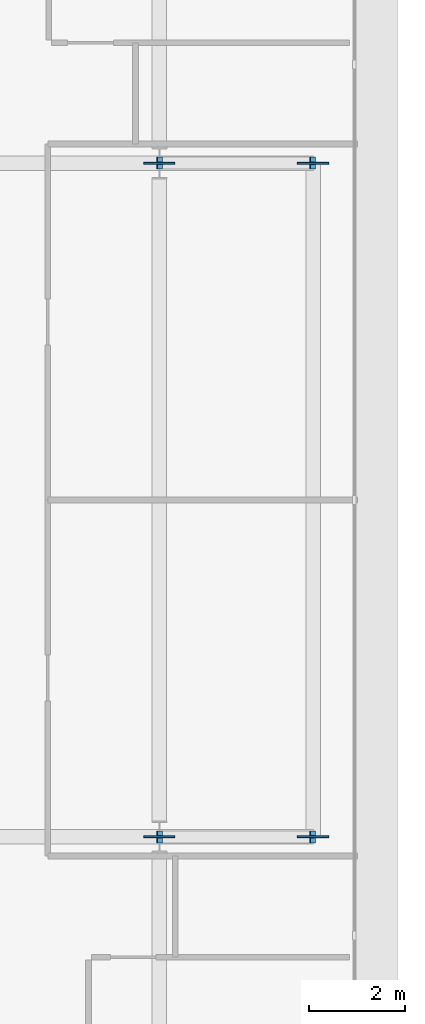
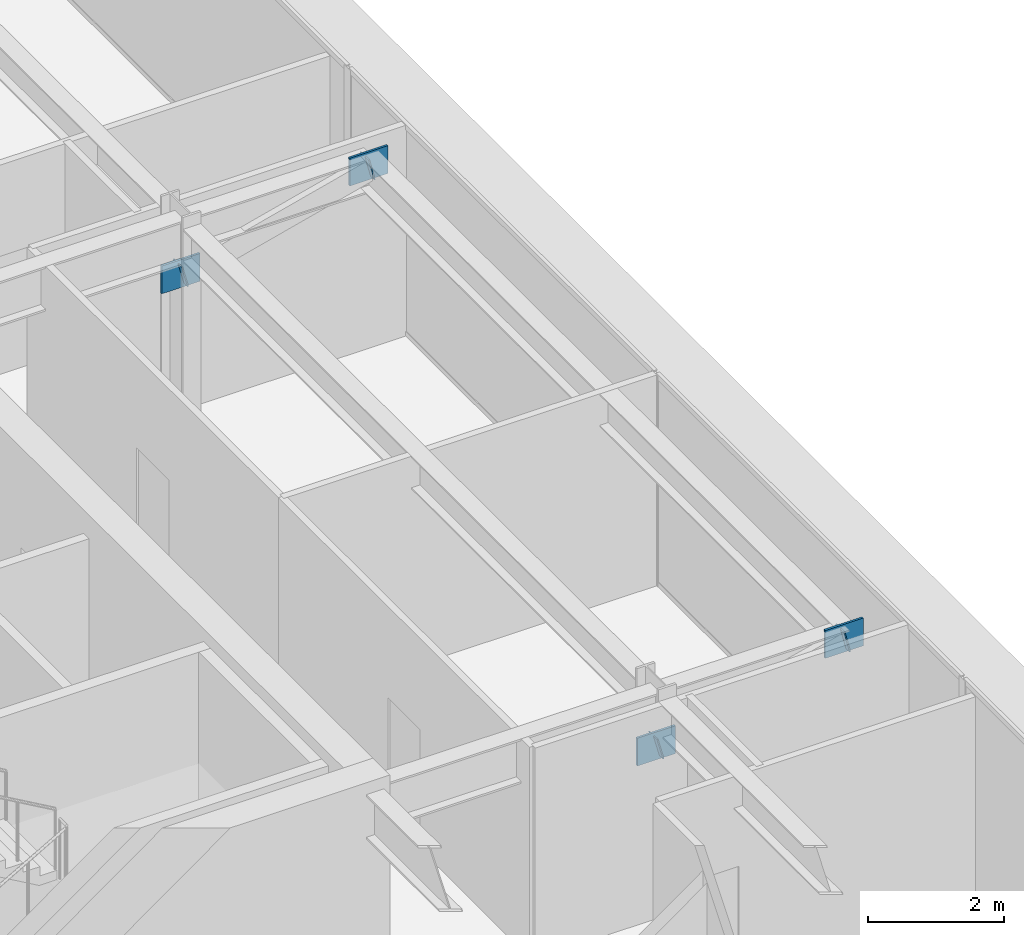
# One storey, part 12 of 20: 8 plates.
"""IFC4 building model written with IfcOpenShell, lengths in metres."""

from ifc_helpers import new_model, si_unit, direction, frame, origin, origin_2d, place, context, subcontext, project, spatial, rectangle, extrude, material, layer, layer_set, type_object, element, save


model = new_model("IFC4")

# Units and contexts
model_context = context("Model", 3, precision=1e-05, world=origin(), true_north=direction((0.0, 1.0)))
body_context = subcontext(model_context, "Body", "Model", "MODEL_VIEW")
ifc_project = project(units=[si_unit("LENGTHUNIT", "METRE"), si_unit("AREAUNIT", "SQUARE_METRE"), si_unit("VOLUMEUNIT", "CUBIC_METRE"), si_unit("PLANEANGLEUNIT", "RADIAN"), si_unit("MASSUNIT", "GRAM", prefix="KILO")], contexts=[model_context])

# Site, building, storey
site_placement = place(None, origin())
site = spatial("IfcSite", under=ifc_project, at=site_placement, CompositionType="ELEMENT")
building_placement = place(site_placement, origin())
building = spatial("IfcBuilding", under=site, at=building_placement, Name="Putna Gate Headquarters", CompositionType="ELEMENT")
storey_placement = place(building_placement, frame((0.0, 0.0, 302.39990234375)))
storey = spatial("IfcBuildingStorey", under=building, at=storey_placement, Name="L76", CompositionType="ELEMENT", Elevation=302.39990234375)

# Plates
ifc_material_1 = material(Name="Steel S355J2", Category="steel")
ifc_layer_1 = layer(ifc_material_1, 0.02001953125)
ifc_layer_set_1 = layer_set([ifc_layer_1], Name="Steel S355J2")
plate_type_1 = type_object("IfcPlateType", Name="PLT-CAP-EC-R400", PredefinedType="SHEET", material=ifc_layer_set_1)
for number, where, z_axis, x_axis, name in (
    (1, (69.9150390625, 19.0, 2.75), (0.966437683387, 0.0, 0.256901156343), (0.0, 1.0, 0.0), "L76 East Sail Cantilever Raker Y19 End Cap Start"),
    (2, (73.090576171875, 19.0, 3.563232421875), (0.970142500145, 0.0, 0.242535625036), (0.0, 1.0, 0.0), "L76 East Sail Cantilever Raker Y19 End Cap End"),
    (3, (69.9150390625, 33.0, 2.75), (0.966437683387, 0.0, 0.256901156343), (0.0, 1.0, 0.0), "L76 East Sail Cantilever Raker Y33 End Cap Start"),
    (4, (73.090576171875, 33.0, 3.563232421875), (0.970142500145, 0.0, 0.242535625036), (0.0, 1.0, 0.0), "L76 East Sail Cantilever Raker Y33 End Cap End"),
):
    element("IfcPlate", number, at=place(storey_placement, frame(where, z_axis=z_axis, x_axis=x_axis)), inside=storey, type_object=plate_type_1, Name=name, PredefinedType="SHEET", context=body_context, shape_type="SweptSolid", body=[
        extrude(rectangle(XDim=0.25, YDim=0.39990234375, at=origin_2d()), origin(), (0.0, 0.0, 1.0), 0.02001953125),
    ])
ifc_material_2 = material(Name="Steel S460M", Category="steel")
ifc_layer_2 = layer(ifc_material_2, 0.0380859375)
ifc_layer_set_2 = layer_set([ifc_layer_2], Name="Steel S460M")
plate_type_2 = type_object("IfcPlateType", Name="PLT-NODE-TN1", PredefinedType="SHEET", material=ifc_layer_set_2)
for number, where, z_axis, x_axis, name in (
    (5, (69.9150390625, 19.0, 2.5), (0.0, 0.0, 1.0), (1.0, 0.0, 0.0), "L76 Sail Raker Node Plate TN1 Y19-1"),
    (6, (73.110107421875, 19.0, 3.318115234375), (0.0, 0.0, 1.0), (1.0, 0.0, 0.0), "L76 Sail Raker Node Plate TN1 Y19-2"),
    (7, (69.9150390625, 33.0, 2.5), (0.0, 0.0, 1.0), (1.0, 0.0, 0.0), "L76 Sail Raker Node Plate TN1 Y33-1"),
    (8, (73.110107421875, 33.0, 3.318115234375), (0.0, 0.0, 1.0), (1.0, 0.0, 0.0), "L76 Sail Raker Node Plate TN1 Y33-2"),
):
    element("IfcPlate", number, at=place(storey_placement, frame(where, z_axis=z_axis, x_axis=x_axis)), inside=storey, type_object=plate_type_2, Name=name, PredefinedType="SHEET", context=body_context, shape_type="SweptSolid", body=[
        extrude(rectangle(XDim=0.64990234375, YDim=0.0380859375, at=origin_2d()), origin(), (0.0, 0.0, 1.0), 0.5),
    ])

save(model, "model.ifc")
